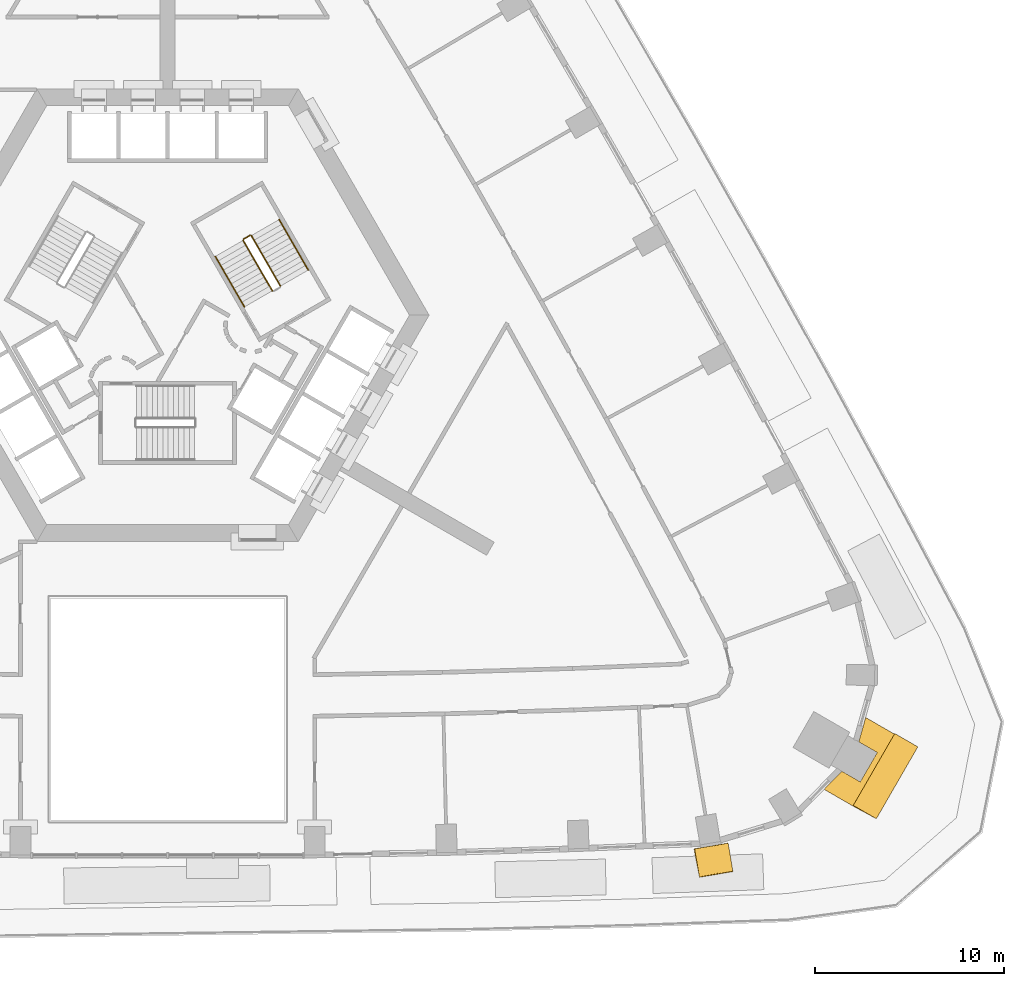
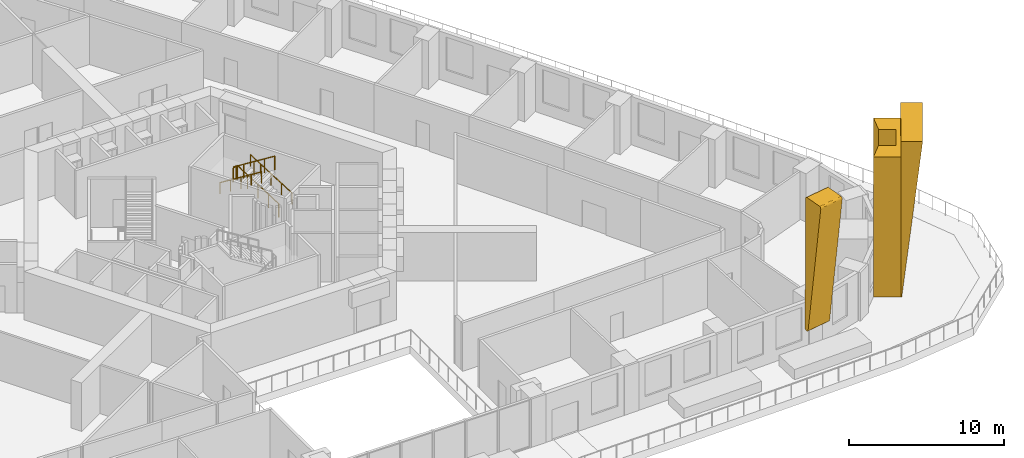
# One storey, part 15 of 16: 5 railings, 3 coverings.
"""IFC4 building model written with IfcOpenShell, lengths in metres."""

from ifc_helpers import new_model, si_unit, direction, frame, origin, origin_2d, place, context, subcontext, project, spatial, polyline, circle, outline, extrude, material, type_object, element, save


model = new_model("IFC4")

# Units and contexts
model_context = context("Model", 3, precision=1e-05, world=origin(), true_north=direction((0.0, 1.0)))
body_context = subcontext(model_context, "Body", "Model", "MODEL_VIEW")
ifc_project = project(units=[si_unit("LENGTHUNIT", "METRE"), si_unit("AREAUNIT", "SQUARE_METRE"), si_unit("VOLUMEUNIT", "CUBIC_METRE"), si_unit("PLANEANGLEUNIT", "RADIAN"), si_unit("MASSUNIT", "GRAM", prefix="KILO")], contexts=[model_context])

# Site, building, storey
site_placement = place(None, origin())
site = spatial("IfcSite", under=ifc_project, at=site_placement, CompositionType="ELEMENT")
building_placement = place(site_placement, origin())
building = spatial("IfcBuilding", under=site, at=building_placement, Name="Entoto Arch Interchange Tower", CompositionType="ELEMENT")
storey_placement = place(building_placement, frame((0.0, 0.0, 86.60009765625)))
storey = spatial("IfcBuildingStorey", under=building, at=storey_placement, Name="L18", CompositionType="ELEMENT", Elevation=86.60009765625)

# Coverings
ifc_material_1 = material(Name="Board-marked precast concrete C50/60", Category="concrete")
covering_type = type_object("IfcCoveringType", Name="PRECAST FRAME COURSE", PredefinedType="CLADDING", material=ifc_material_1)
covering_1_placement = place(storey_placement, origin())
element("IfcCovering", 1, at=covering_1_placement, inside=storey, type_object=covering_type, Name="Corner pilaster SE L18-L20", PredefinedType="CLADDING", context=body_context, shape_type="SweptSolid", body=[
    extrude(outline(polyline([(38.51611328125, -19.697998046875), (36.31591796875, -23.508056640625), (34.7900390625, -22.626953125), (35.72802734375, -21.6669921875), (36.7060546875, -22.23193359375), (37.60595703125, -20.674072265625), (36.6279296875, -20.10888671875), (36.990966796875, -18.81689453125), (38.51611328125, -19.697998046875)])), origin(), (0.0, 0.0, 1.0), 11.0),
])
covering_2_placement = place(storey_placement, frame((36.31591796875, -23.508056640625, 0.0), z_axis=(-0.49963455292, -0.866231296242, 0.002941927741), x_axis=(0.866235075825, -0.499636660946, 2.1200925e-05)))
element("IfcCovering", 2, at=covering_2_placement, inside=storey, type_object=covering_type, Name="Corner rib SE L18-L20", PredefinedType="CLADDING", context=body_context, shape_type="SweptSolid", body=[
    extrude(outline(polyline([(0.0, 0.0), (0.06680051202978977, 0.0), (1.4135641759649207, 12.199974000876887), (0.001262673685076439, 12.200005359343967), (0.0, 0.0)])), origin(), (0.0, 0.0, -1.0), 4.39990234375),
])
covering_3_placement = place(storey_placement, frame((27.947021484375, -26.072998046875, 1.85595703125), z_axis=(-0.985801296066, -0.1678878934, 0.003075699116), x_axis=(-0.039057110805, 0.211443437646, -0.97660955083)))
element("IfcCovering", 3, at=covering_3_placement, inside=storey, type_object=covering_type, Name="Fold rib S08 L18-L20", PredefinedType="CLADDING", context=body_context, shape_type="SweptSolid", body=[
    extrude(outline(polyline([(0.0, 0.0), (0.028748147639110974, 8.673617379884035e-19), (0.05781964311596488, -0.00601121830857029), (0.0846651757987674, -0.016665342364947166), (0.10877035258959616, -0.03305598721663515), (0.1295314450953918, -0.05355440448442001), (0.14613945467919714, -0.07788778647757971), (0.15727371691376085, -0.10461642413552735), (0.1636169709193107, -0.13342751540403067), (0.16369368646953844, -0.1621761292335775), (0.1579408917710282, -0.1916786312453868), (0.1474479660160536, -0.21782535920082466), (0.1314968916986248, -0.243034299071165), (0.11121683555661607, -0.2633237018450124), (0.08738879868874584, -0.2799948813059809), (0.04667023281970417, -0.2960271398749448), (-9.906211013609454, -2.4859911858447097), (-9.935706393780972, -2.487141441235149), (-9.964539459191704, -2.4810777330752773), (-10.004300928147524, -2.4639809213233956), (-10.037236923769658, -2.434737292141169), (-10.054798653617945, -2.4106138695532158), (-10.06593291585251, -2.3838852318952677), (-10.338561641066935, -1.1454992078004096), (-10.338934607992027, -1.115415740997359), (-10.334045769915209, -1.0865177553790257), (-10.322825291226803, -1.0579929122003044), (-10.306705870887068, -1.0335647853232364), (-10.285827248635984, -1.0125721739985205), (-10.26080706143751, -0.9956385452810448), (-10.23379451593845, -0.9843487059130287), (-10.20446761780562, -0.9778924542029439), (0.0, 0.0)])), origin(), (0.0, 0.0, -1.0), 1.800048828125),
])

# Railings
ifc_material_2 = material(Name="Stainless steel 1.4301", Category="steel")
railing_type_1 = type_object("IfcRailingType", Name="STAIR GUARD 1100 STEEL", PredefinedType="GUARDRAIL", material=ifc_material_2)
railing_1_placement = place(storey_placement, frame((5.977783203125, 4.046142578125, 0.1748046875)))
element("IfcRailing", 4, at=railing_1_placement, inside=storey, type_object=railing_type_1, Name="L18 ST-NE stair guard 1", PredefinedType="GUARDRAIL", context=body_context, shape_type="SweptSolid", body=[
    extrude(circle(Radius=0.02392578125, at=origin_2d()), frame((0.0, 0.0, 1.076171875), z_axis=(-0.424015404183, 0.734364028329, 0.530019255228), x_axis=(-0.866010015463, -0.500026652407, 0.0)), (0.0, 0.0, 1.0), 3.632080078125),
    extrude(circle(Radius=0.02099609375, at=origin_2d()), origin(), (0.0, 0.0, 1.0), 1.052001953125),
    extrude(circle(Radius=0.02099609375, at=origin_2d()), frame((-0.385009765625, 0.666748046875, 0.481201171875)), (0.0, 0.0, 1.0), 1.052001953125),
    extrude(circle(Radius=0.02099609375, at=origin_2d()), frame((-0.77001953125, 1.33349609375, 0.96240234375)), (0.0, 0.0, 1.0), 1.052001953125),
    extrude(circle(Radius=0.02099609375, at=origin_2d()), frame((-1.155029296875, 2.00048828125, 1.44384765625)), (0.0, 0.0, 1.0), 1.052001953125),
    extrude(circle(Radius=0.02099609375, at=origin_2d()), frame((-1.5400390625, 2.667236328125, 1.925048828125)), (0.0, 0.0, 1.0), 1.052001953125),
])
railing_2_placement = place(storey_placement, frame((4.36962890625, 6.731689453125, 2.099853515625)))
element("IfcRailing", 5, at=railing_2_placement, inside=storey, type_object=railing_type_1, Name="L18 ST-NE stair guard 2", PredefinedType="GUARDRAIL", context=body_context, shape_type="SweptSolid", body=[
    extrude(circle(Radius=0.02392578125, at=origin_2d()), frame((0.0, 0.0, 1.076171875), z_axis=(-0.866094119867, -0.499880961361, 0.0), x_axis=(0.499880961361, -0.866094119867, 0.0)), (0.0, 0.0, 1.0), 0.39990234375),
    extrude(circle(Radius=0.02099609375, at=origin_2d()), origin(), (0.0, 0.0, 1.0), 1.052001953125),
    extrude(circle(Radius=0.02099609375, at=origin_2d()), frame((-0.346435546875, -0.199951171875, 0.0)), (0.0, 0.0, 1.0), 1.052001953125),
])
railing_3_placement = place(storey_placement, frame((4.0048828125, 6.46337890625, 2.27490234375)))
element("IfcRailing", 6, at=railing_3_placement, inside=storey, type_object=railing_type_1, Name="L18 ST-NE stair guard 3", PredefinedType="GUARDRAIL", context=body_context, shape_type="SweptSolid", body=[
    extrude(circle(Radius=0.02392578125, at=origin_2d()), frame((0.0, 0.0, 1.076171875), z_axis=(0.424015404183, -0.734364028329, 0.530019255228), x_axis=(0.866010015463, 0.500026652407, 0.0)), (0.0, 0.0, 1.0), 3.632080078125),
    extrude(circle(Radius=0.02099609375, at=origin_2d()), origin(), (0.0, 0.0, 1.0), 1.052001953125),
    extrude(circle(Radius=0.02099609375, at=origin_2d()), frame((0.385009765625, -0.666748046875, 0.481201171875)), (0.0, 0.0, 1.0), 1.052001953125),
    extrude(circle(Radius=0.02099609375, at=origin_2d()), frame((0.77001953125, -1.33349609375, 0.96240234375)), (0.0, 0.0, 1.0), 1.052001953125),
    extrude(circle(Radius=0.02099609375, at=origin_2d()), frame((1.155029296875, -2.00048828125, 1.44384765625)), (0.0, 0.0, 1.0), 1.052001953125),
    extrude(circle(Radius=0.02099609375, at=origin_2d()), frame((1.5400390625, -2.667236328125, 1.925048828125)), (0.0, 0.0, 1.0), 1.052001953125),
])
railing_type_2 = type_object("IfcRailingType", Name="STAIR HANDRAIL 900 STEEL", PredefinedType="HANDRAIL", material=ifc_material_2)
railing_4_placement = place(storey_placement, frame((7.4501953125, 4.89599609375, 0.1748046875)))
element("IfcRailing", 7, at=railing_4_placement, inside=storey, type_object=railing_type_2, Name="L18 ST-NE stair handrail 1", PredefinedType="HANDRAIL", context=body_context, shape_type="SweptSolid", body=[
    extrude(circle(Radius=0.02392578125, at=origin_2d()), frame((0.0, 0.0, 0.8759765625), z_axis=(-0.423994474112, 0.734394994316, 0.52999309264), x_axis=(-0.866029832698, -0.499992328818, 0.0)), (0.0, 0.0, 1.0), 3.63232421875),
    extrude(circle(Radius=0.02099609375, at=origin_2d()), origin(), (0.0, 0.0, 1.0), 0.851806640625),
    extrude(circle(Radius=0.02099609375, at=origin_2d()), frame((-0.385009765625, 0.6669921875, 0.481201171875)), (0.0, 0.0, 1.0), 0.851806640625),
    extrude(circle(Radius=0.02099609375, at=origin_2d()), frame((-0.77001953125, 1.333740234375, 0.96240234375)), (0.0, 0.0, 1.0), 0.851806640625),
    extrude(circle(Radius=0.02099609375, at=origin_2d()), frame((-1.155029296875, 2.00048828125, 1.44384765625)), (0.0, 0.0, 1.0), 0.851806640625),
    extrude(circle(Radius=0.02099609375, at=origin_2d()), frame((-1.5400390625, 2.66748046875, 1.925048828125)), (0.0, 0.0, 1.0), 0.851806640625),
])
railing_5_placement = place(storey_placement, frame((2.53271484375, 5.613525390625, 2.27490234375)))
element("IfcRailing", 8, at=railing_5_placement, inside=storey, type_object=railing_type_2, Name="L18 ST-NE stair handrail 2", PredefinedType="HANDRAIL", context=body_context, shape_type="SweptSolid", body=[
    extrude(circle(Radius=0.02392578125, at=origin_2d()), frame((0.0, 0.0, 0.8759765625), z_axis=(0.423939339791, -0.734415923031, 0.53000819633), x_axis=(0.866064153644, 0.499932877268, 0.0)), (0.0, 0.0, 1.0), 3.632080078125),
    extrude(circle(Radius=0.02099609375, at=origin_2d()), origin(), (0.0, 0.0, 1.0), 0.851806640625),
    extrude(circle(Radius=0.02099609375, at=origin_2d()), frame((0.385009765625, -0.6669921875, 0.481201171875)), (0.0, 0.0, 1.0), 0.851806640625),
    extrude(circle(Radius=0.02099609375, at=origin_2d()), frame((0.77001953125, -1.333740234375, 0.96240234375)), (0.0, 0.0, 1.0), 0.851806640625),
    extrude(circle(Radius=0.02099609375, at=origin_2d()), frame((1.15478515625, -2.00048828125, 1.44384765625)), (0.0, 0.0, 1.0), 0.851806640625),
    extrude(circle(Radius=0.02099609375, at=origin_2d()), frame((1.539794921875, -2.66748046875, 1.925048828125)), (0.0, 0.0, 1.0), 0.851806640625),
])

save(model, "model.ifc")
